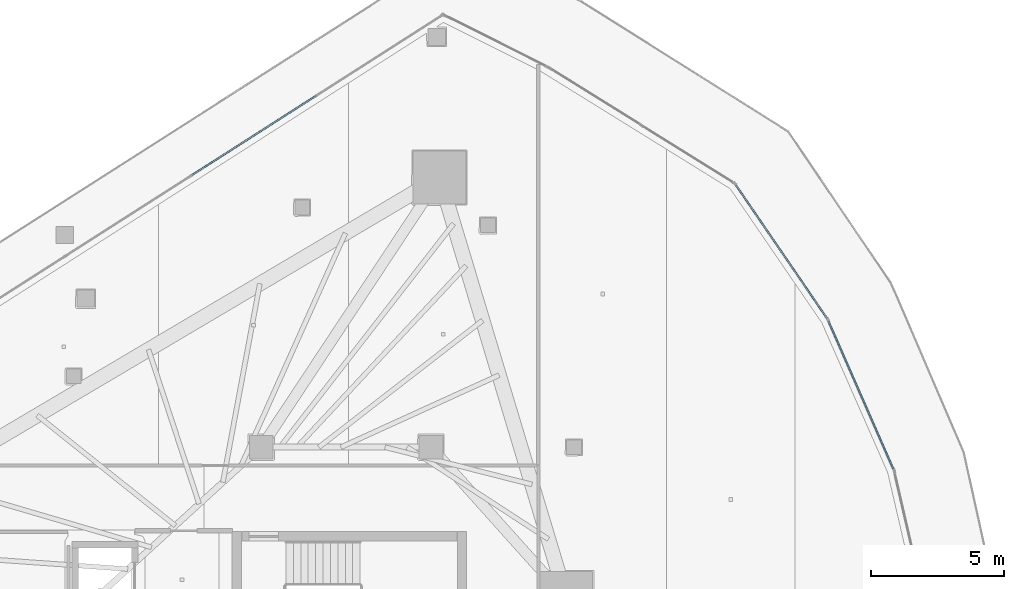
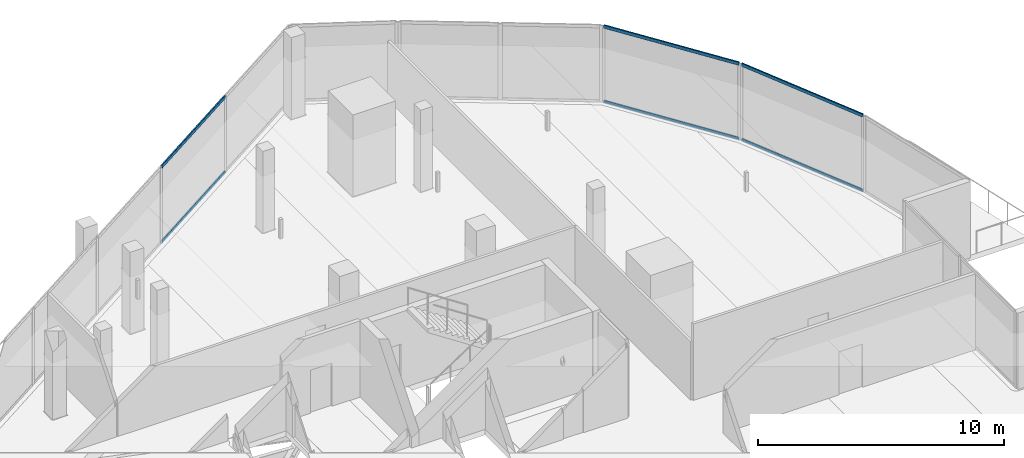
# One storey, part 21 of 36: 6 members, 3 elements without a shape of their own.
"""IFC4 building model written with IfcOpenShell, lengths in metres."""

from ifc_helpers import new_model, si_unit, direction, frame, origin, origin_2d, place, context, subcontext, project, spatial, hollow_rectangle, extrude, material, layer, layer_set, material_profile, profile_set, type_object, element, aggregate, save


model = new_model("IFC4")

# Units and contexts
model_context = context("Model", 3, precision=1e-05, world=origin(), true_north=direction((0.0, 1.0)))
body_context = subcontext(model_context, "Body", "Model", "MODEL_VIEW")
ifc_project = project(units=[si_unit("LENGTHUNIT", "METRE"), si_unit("AREAUNIT", "SQUARE_METRE"), si_unit("VOLUMEUNIT", "CUBIC_METRE"), si_unit("PLANEANGLEUNIT", "RADIAN"), si_unit("MASSUNIT", "GRAM", prefix="KILO")], contexts=[model_context])

# Site, building, storey
site_placement = place(None, origin())
site = spatial("IfcSite", under=ifc_project, at=site_placement, CompositionType="ELEMENT")
building_placement = place(site_placement, origin())
building = spatial("IfcBuilding", under=site, at=building_placement, Name="Qorvath Tower", CompositionType="ELEMENT")
storey_placement = place(building_placement, frame((0.0, 0.0, 192.89990234375)))
storey = spatial("IfcBuildingStorey", under=building, at=storey_placement, Name="L44", CompositionType="ELEMENT", Elevation=192.89990234375)

# Curtain wall, members
ifc_material_1 = material(Name="Anodised aluminium and triple low-E glass", Category="aluminium")
ifc_layer = layer(ifc_material_1, 0.179931640625)
ifc_layer_set = layer_set([ifc_layer], Name="CW-SYS-3")
curtain_wall_type = type_object("IfcCurtainWallType", Name="CW-SYS-3", PredefinedType="NOTDEFINED", material=ifc_layer_set)
curtain_wall_1_placement = place(storey_placement, origin())
curtain_wall_1 = element("IfcCurtainWall", 1, at=curtain_wall_1_placement, inside=storey, type_object=curtain_wall_type, Name="Curtain Wall CW-3 CW-T-L44-12.1", PredefinedType="NOTDEFINED")
ifc_material_2 = material(Name="Anodised aluminium 6063-T6", Category="aluminium")
ifc_material_profile = material_profile(ifc_material_2, hollow_rectangle(XDim=0.06494140625, YDim=0.159912109375, WallThickness=0.00341796875, InnerFilletRadius=0.00341796875, OuterFilletRadius=0.007080078125, at=origin_2d()), Name="CWT 160x65")
ifc_profile_set = profile_set([ifc_material_profile], Name="Anodised aluminium 6063-T6")
member_type = type_object("IfcMemberType", Name="CWT-160", PredefinedType="USERDEFINED", material=ifc_profile_set)
member_1_placement = place(storey_placement, frame((0.251708984375, 10.63330078125, 0.032470703125), z_axis=(-0.402337899002, 0.915491242463, 0.0), x_axis=(-0.915491242463, -0.402337899002, 0.0)))
member_1 = element("IfcMember", 2, at=member_1_placement, type_object=member_type, Name="CW-3 transom 1.1", ObjectType="TRANSOM", PredefinedType="USERDEFINED", context=body_context, shape_type="SweptSolid", body=[
    extrude(hollow_rectangle(XDim=0.06494140625, YDim=0.159912109375, WallThickness=0.00341796875, InnerFilletRadius=0.00341796875, OuterFilletRadius=0.007080078125, at=origin_2d()), origin(), (0.0, 0.0, 1.0), 6.0849609375),
])
member_2_placement = place(storey_placement, frame((0.251708984375, 10.63330078125, 3.74755859375), z_axis=(-0.402337899002, 0.915491242463, 0.0), x_axis=(-0.915491242463, -0.402337899002, 0.0)))
member_2 = element("IfcMember", 3, at=member_2_placement, type_object=member_type, Name="CW-3 transom 1.2", ObjectType="TRANSOM", PredefinedType="USERDEFINED", context=body_context, shape_type="SweptSolid", body=[
    extrude(hollow_rectangle(XDim=0.06494140625, YDim=0.159912109375, WallThickness=0.00341796875, InnerFilletRadius=0.00341796875, OuterFilletRadius=0.007080078125, at=origin_2d()), origin(), (0.0, 0.0, 1.0), 6.0849609375),
])
aggregate(curtain_wall_1, [member_1, member_2])

curtain_wall_2_placement = place(storey_placement, origin())
curtain_wall_2 = element("IfcCurtainWall", 4, at=curtain_wall_2_placement, inside=storey, type_object=curtain_wall_type, Name="Curtain Wall CW-3 CW-T-L44-13.1", PredefinedType="NOTDEFINED")
member_3_placement = place(storey_placement, frame((-2.25927734375, 16.3173828125, 0.032470703125), z_axis=(-0.564540077657, 0.825405658279, 0.0), x_axis=(-0.825405658279, -0.564540077657, 0.0)))
member_3 = element("IfcMember", 5, at=member_3_placement, type_object=member_type, Name="CW-3 transom 1.1", ObjectType="TRANSOM", PredefinedType="USERDEFINED", context=body_context, shape_type="SweptSolid", body=[
    extrude(hollow_rectangle(XDim=0.06494140625, YDim=0.159912109375, WallThickness=0.00341796875, InnerFilletRadius=0.00341796875, OuterFilletRadius=0.007080078125, at=origin_2d()), origin(), (0.0, 0.0, 1.0), 6.085205078125),
])
member_4_placement = place(storey_placement, frame((-2.25927734375, 16.3173828125, 3.74755859375), z_axis=(-0.564540077657, 0.825405658279, 0.0), x_axis=(-0.825405658279, -0.564540077657, 0.0)))
member_4 = element("IfcMember", 6, at=member_4_placement, type_object=member_type, Name="CW-3 transom 1.2", ObjectType="TRANSOM", PredefinedType="USERDEFINED", context=body_context, shape_type="SweptSolid", body=[
    extrude(hollow_rectangle(XDim=0.06494140625, YDim=0.159912109375, WallThickness=0.00341796875, InnerFilletRadius=0.00341796875, OuterFilletRadius=0.007080078125, at=origin_2d()), origin(), (0.0, 0.0, 1.0), 6.085205078125),
])
aggregate(curtain_wall_2, [member_3, member_4])

curtain_wall_3_placement = place(storey_placement, origin())
curtain_wall_3 = element("IfcCurtainWall", 7, at=curtain_wall_3_placement, inside=storey, type_object=curtain_wall_type, Name="Curtain Wall CW-3 CW-T-L44-16.1", PredefinedType="NOTDEFINED")
member_5_placement = place(storey_placement, frame((-21.522705078125, 24.716064453125, 0.032470703125), z_axis=(-0.842606844645, -0.538529205667, 0.0), x_axis=(0.538529205667, -0.842606844645, 0.0)))
member_5 = element("IfcMember", 8, at=member_5_placement, type_object=member_type, Name="CW-3 transom 2.1", ObjectType="TRANSOM", PredefinedType="USERDEFINED", context=body_context, shape_type="SweptSolid", body=[
    extrude(hollow_rectangle(XDim=0.06494140625, YDim=0.159912109375, WallThickness=0.00341796875, InnerFilletRadius=0.00341796875, OuterFilletRadius=0.007080078125, at=origin_2d()), origin(), (0.0, 0.0, 1.0), 5.5751953125),
])
member_6_placement = place(storey_placement, frame((-21.522705078125, 24.716064453125, 3.74755859375), z_axis=(-0.842606844645, -0.538529205667, 0.0), x_axis=(0.538529205667, -0.842606844645, 0.0)))
member_6 = element("IfcMember", 9, at=member_6_placement, type_object=member_type, Name="CW-3 transom 2.2", ObjectType="TRANSOM", PredefinedType="USERDEFINED", context=body_context, shape_type="SweptSolid", body=[
    extrude(hollow_rectangle(XDim=0.06494140625, YDim=0.159912109375, WallThickness=0.00341796875, InnerFilletRadius=0.00341796875, OuterFilletRadius=0.007080078125, at=origin_2d()), origin(), (0.0, 0.0, 1.0), 5.5751953125),
])
aggregate(curtain_wall_3, [member_5, member_6])

save(model, "model.ifc")
